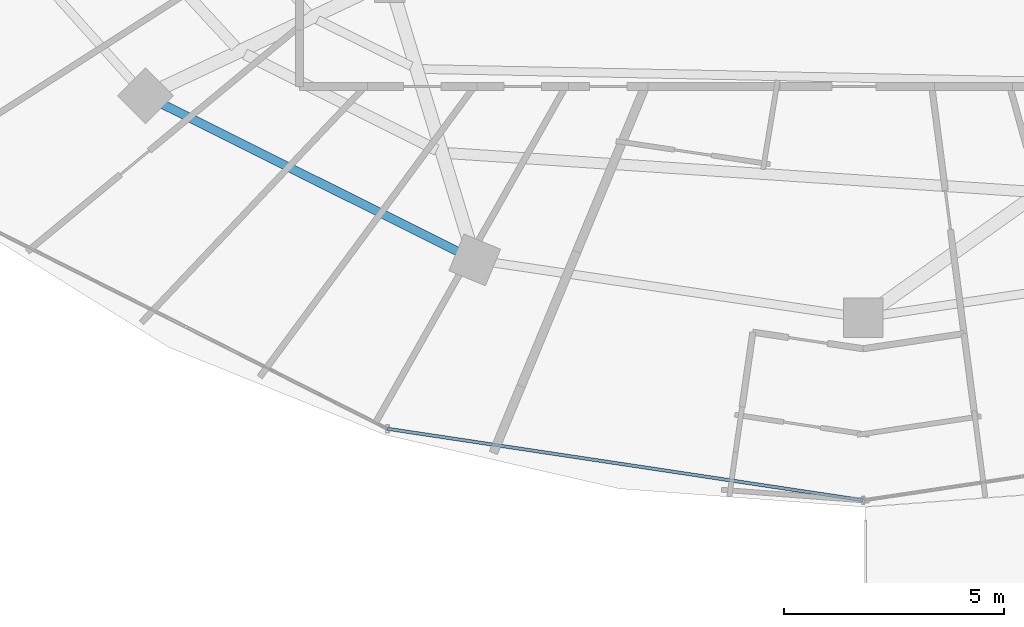
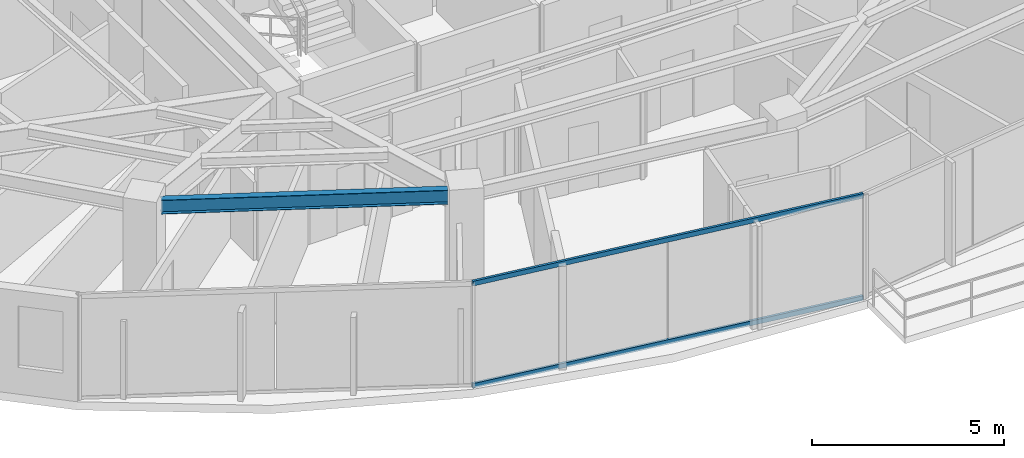
# One storey, part 4 of 34: 2 members, 1 beam, 1 element without a shape of its own.
"""IFC4 building model written with IfcOpenShell, lengths in metres."""

from ifc_helpers import new_model, si_unit, direction, frame, origin, origin_2d, place, context, subcontext, project, spatial, hollow_rectangle, i_section, extrude, material, material_profile, profile_set, type_object, element, aggregate, save


model = new_model("IFC4")

# Units and contexts
model_context = context("Model", 3, precision=1e-05, world=origin(), true_north=direction((0.0, 1.0)))
body_context = subcontext(model_context, "Body", "Model", "MODEL_VIEW")
ifc_project = project(units=[si_unit("LENGTHUNIT", "METRE"), si_unit("AREAUNIT", "SQUARE_METRE"), si_unit("VOLUMEUNIT", "CUBIC_METRE"), si_unit("PLANEANGLEUNIT", "RADIAN"), si_unit("MASSUNIT", "GRAM", prefix="KILO")], contexts=[model_context])

# Site, building, storey
site_placement = place(None, origin())
site = spatial("IfcSite", under=ifc_project, at=site_placement, CompositionType="ELEMENT")
building_placement = place(site_placement, origin())
building = spatial("IfcBuilding", under=site, at=building_placement, Name="Vorneva Point Tower", CompositionType="ELEMENT")
storey_placement = place(building_placement, frame((0.0, 0.0, 214.300048828125)))
storey = spatial("IfcBuildingStorey", under=building, at=storey_placement, Name="L58", CompositionType="ELEMENT", Elevation=214.300048828125)

# Beam
ifc_material_1 = material(Name="Steel S355", Category="steel")
ifc_material_profile_1 = material_profile(ifc_material_1, i_section(OverallWidth=0.198974609375, OverallDepth=0.446044921875, WebThickness=0.008056640625, FlangeThickness=0.011962890625, at=origin_2d()), Name="45B1")
ifc_profile_set_1 = profile_set([ifc_material_profile_1], Name="Steel S355")
beam_type = type_object("IfcBeamType", Name="BM-SPN-45B1", PredefinedType="SPANDREL", material=ifc_profile_set_1)
beam_placement = place(storey_placement, frame((22.090576171875, 13.643798828125, 3.06689453125), z_axis=(0.894922371084, -0.446221861559, 0.0), x_axis=(0.446221861559, 0.894922371084, 0.0)))
element("IfcBeam", 1, at=beam_placement, inside=storey, type_object=beam_type, Name="L58 Perimeter Spandrel Ring Beam 11", PredefinedType="SPANDREL", context=body_context, shape_type="SweptSolid", body=[
    extrude(i_section(OverallWidth=0.198974609375, OverallDepth=0.446044921875, WebThickness=0.008056640625, FlangeThickness=0.011962890625, at=origin_2d()), origin(), (0.0, 0.0, 1.0), 7.48583984375),
])

# Curtain wall, members
ifc_material_2 = material(Name="Pale anodised aluminium", Category="aluminium")
curtain_wall_type = type_object("IfcCurtainWallType", Name="CW-RES-SYS", PredefinedType="NOTDEFINED", material=ifc_material_2)
curtain_wall_placement = place(storey_placement, origin())
curtain_wall = element("IfcCurtainWall", 2, at=curtain_wall_placement, inside=storey, type_object=curtain_wall_type, Name="L58 Unitised Curtain Wall CW-L58-R04", PredefinedType="NOTDEFINED")
ifc_material_profile_2 = material_profile(ifc_material_2, hollow_rectangle(XDim=0.074951171875, YDim=0.14990234375, WallThickness=0.00390625, at=origin_2d()), Name="AL-TRN 150x75x4")
ifc_profile_set_2 = profile_set([ifc_material_profile_2], Name="Pale anodised aluminium")
member_type = type_object("IfcMemberType", Name="CW-TRN-150", PredefinedType="USERDEFINED", material=ifc_profile_set_2)
member_1_placement = place(storey_placement, frame((27.19677734375, 6.275146484375, 0.02001953125), z_axis=(0.988872333273, -0.148766624239, 0.0), x_axis=(0.148766624239, 0.988872333273, 0.0)))
member_1 = element("IfcMember", 3, at=member_1_placement, type_object=member_type, Name="CW-L58-R04 Transom 02.1", ObjectType="TRANSOM", PredefinedType="USERDEFINED", context=body_context, shape_type="SweptSolid", body=[
    extrude(hollow_rectangle(XDim=0.074951171875, YDim=0.14990234375, WallThickness=0.00390625, at=origin_2d()), origin(), (0.0, 0.0, 1.0), 10.9248046875),
])
member_2_placement = place(storey_placement, frame((27.19677734375, 6.275146484375, 3.27001953125), z_axis=(0.988872333273, -0.148766624239, 0.0), x_axis=(0.148766624239, 0.988872333273, 0.0)))
member_2 = element("IfcMember", 4, at=member_2_placement, type_object=member_type, Name="CW-L58-R04 Transom 02.2", ObjectType="TRANSOM", PredefinedType="USERDEFINED", context=body_context, shape_type="SweptSolid", body=[
    extrude(hollow_rectangle(XDim=0.074951171875, YDim=0.14990234375, WallThickness=0.00390625, at=origin_2d()), origin(), (0.0, 0.0, 1.0), 10.9248046875),
])
aggregate(curtain_wall, [member_1, member_2])

save(model, "model.ifc")
